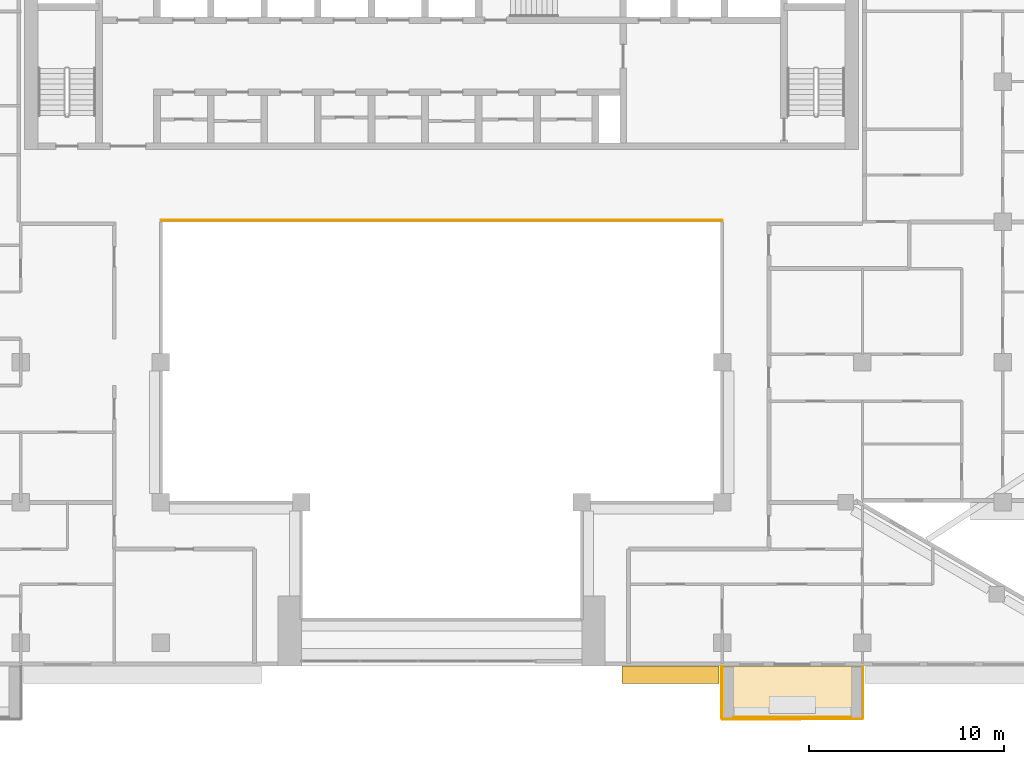
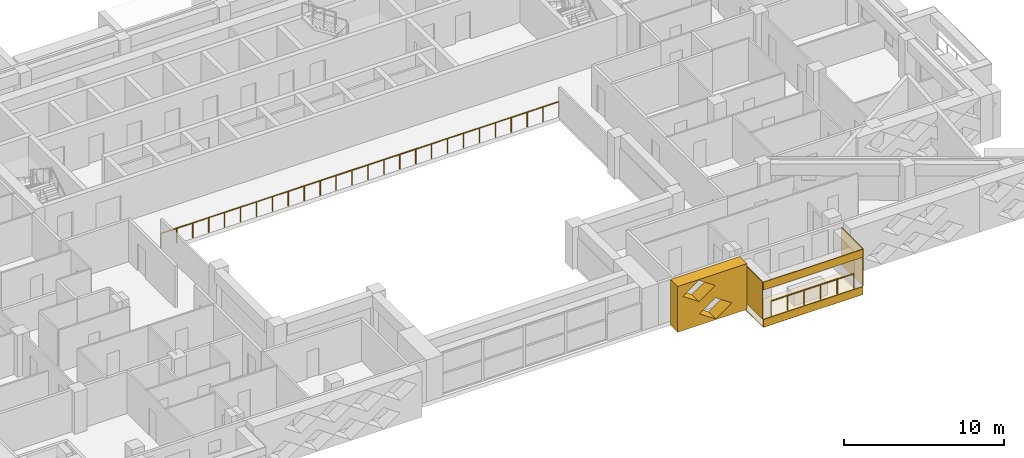
# One storey, part 16 of 20: 6 coverings, 2 railings.
"""IFC4 building model written with IfcOpenShell, lengths in metres."""

from ifc_helpers import new_model, si_unit, direction, frame, origin, origin_2d, place, context, subcontext, project, spatial, polyline, circle, outline, extrude, material, layer, layer_set, type_object, element, save


model = new_model("IFC4")

# Units and contexts
model_context = context("Model", 3, precision=1e-05, world=origin(), true_north=direction((0.0, 1.0)))
body_context = subcontext(model_context, "Body", "Model", "MODEL_VIEW")
ifc_project = project(units=[si_unit("LENGTHUNIT", "METRE"), si_unit("AREAUNIT", "SQUARE_METRE"), si_unit("VOLUMEUNIT", "CUBIC_METRE"), si_unit("PLANEANGLEUNIT", "RADIAN"), si_unit("MASSUNIT", "GRAM", prefix="KILO")], contexts=[model_context])

# Site, building, storey
site_placement = place(None, origin())
site = spatial("IfcSite", under=ifc_project, at=site_placement, CompositionType="ELEMENT")
building_placement = place(site_placement, origin())
building = spatial("IfcBuilding", under=site, at=building_placement, Name="Saffron Iwan Residences", CompositionType="ELEMENT")
storey_placement = place(building_placement, frame((0.0, 0.0, 188.5)))
storey = spatial("IfcBuildingStorey", under=building, at=storey_placement, Name="L50", CompositionType="ELEMENT", Elevation=188.5)

# Railings
ifc_material_1 = material(Name="Stainless steel 316", Category="steel")
railing_type_1 = type_object("IfcRailingType", Name="Atrium guard 1150", PredefinedType="GUARDRAIL", material=ifc_material_1)
railing_1_placement = place(storey_placement, frame((36.0, 62.47509765625, 0.0)))
element("IfcRailing", 1, at=railing_1_placement, inside=storey, type_object=railing_type_1, Name="Atrium guard L50", PredefinedType="GUARDRAIL", context=body_context, shape_type="SweptSolid", body=[
    extrude(circle(Radius=0.02392578125, at=origin_2d()), frame((0.0, 0.0, 1.1259765625), z_axis=(1.0, 0.0, 0.0), x_axis=(0.0, 1.0, 0.0)), (0.0, 0.0, 1.0), 28.800048828125),
    extrude(circle(Radius=0.02099609375, at=origin_2d()), origin(), (0.0, 0.0, 1.0), 1.101806640625),
    extrude(circle(Radius=0.02099609375, at=origin_2d()), frame((1.152099609375, 0.0, 0.0)), (0.0, 0.0, 1.0), 1.101806640625),
    extrude(circle(Radius=0.02099609375, at=origin_2d()), frame((2.303955078125, 0.0, 0.0)), (0.0, 0.0, 1.0), 1.101806640625),
    extrude(circle(Radius=0.02099609375, at=origin_2d()), frame((3.4560546875, 0.0, 0.0)), (0.0, 0.0, 1.0), 1.101806640625),
    extrude(circle(Radius=0.02099609375, at=origin_2d()), frame((4.60791015625, 0.0, 0.0)), (0.0, 0.0, 1.0), 1.101806640625),
    extrude(circle(Radius=0.02099609375, at=origin_2d()), frame((5.760009765625, 0.0, 0.0)), (0.0, 0.0, 1.0), 1.101806640625),
    extrude(circle(Radius=0.02099609375, at=origin_2d()), frame((6.912109375, 0.0, 0.0)), (0.0, 0.0, 1.0), 1.101806640625),
    extrude(circle(Radius=0.02099609375, at=origin_2d()), frame((8.06396484375, 0.0, 0.0)), (0.0, 0.0, 1.0), 1.101806640625),
    extrude(circle(Radius=0.02099609375, at=origin_2d()), frame((9.216064453125, 0.0, 0.0)), (0.0, 0.0, 1.0), 1.101806640625),
    extrude(circle(Radius=0.02099609375, at=origin_2d()), frame((10.367919921875, 0.0, 0.0)), (0.0, 0.0, 1.0), 1.101806640625),
    extrude(circle(Radius=0.02099609375, at=origin_2d()), frame((11.52001953125, 0.0, 0.0)), (0.0, 0.0, 1.0), 1.101806640625),
    extrude(circle(Radius=0.02099609375, at=origin_2d()), frame((12.672119140625, 0.0, 0.0)), (0.0, 0.0, 1.0), 1.101806640625),
    extrude(circle(Radius=0.02099609375, at=origin_2d()), frame((13.823974609375, 0.0, 0.0)), (0.0, 0.0, 1.0), 1.101806640625),
    extrude(circle(Radius=0.02099609375, at=origin_2d()), frame((14.97607421875, 0.0, 0.0)), (0.0, 0.0, 1.0), 1.101806640625),
    extrude(circle(Radius=0.02099609375, at=origin_2d()), frame((16.1279296875, 0.0, 0.0)), (0.0, 0.0, 1.0), 1.101806640625),
    extrude(circle(Radius=0.02099609375, at=origin_2d()), frame((17.280029296875, 0.0, 0.0)), (0.0, 0.0, 1.0), 1.101806640625),
    extrude(circle(Radius=0.02099609375, at=origin_2d()), frame((18.43212890625, 0.0, 0.0)), (0.0, 0.0, 1.0), 1.101806640625),
    extrude(circle(Radius=0.02099609375, at=origin_2d()), frame((19.583984375, 0.0, 0.0)), (0.0, 0.0, 1.0), 1.101806640625),
    extrude(circle(Radius=0.02099609375, at=origin_2d()), frame((20.736083984375, 0.0, 0.0)), (0.0, 0.0, 1.0), 1.101806640625),
    extrude(circle(Radius=0.02099609375, at=origin_2d()), frame((21.887939453125, 0.0, 0.0)), (0.0, 0.0, 1.0), 1.101806640625),
    extrude(circle(Radius=0.02099609375, at=origin_2d()), frame((23.0400390625, 0.0, 0.0)), (0.0, 0.0, 1.0), 1.101806640625),
    extrude(circle(Radius=0.02099609375, at=origin_2d()), frame((24.192138671875, 0.0, 0.0)), (0.0, 0.0, 1.0), 1.101806640625),
    extrude(circle(Radius=0.02099609375, at=origin_2d()), frame((25.343994140625, 0.0, 0.0)), (0.0, 0.0, 1.0), 1.101806640625),
    extrude(circle(Radius=0.02099609375, at=origin_2d()), frame((26.49609375, 0.0, 0.0)), (0.0, 0.0, 1.0), 1.101806640625),
    extrude(circle(Radius=0.02099609375, at=origin_2d()), frame((27.64794921875, 0.0, 0.0)), (0.0, 0.0, 1.0), 1.101806640625),
    extrude(circle(Radius=0.02099609375, at=origin_2d()), frame((28.800048828125, 0.0, 0.0)), (0.0, 0.0, 1.0), 1.101806640625),
])
railing_type_2 = type_object("IfcRailingType", Name="BALCONY GUARD 1150", PredefinedType="GUARDRAIL", material=ifc_material_1)
railing_2_placement = place(storey_placement, frame((65.39990234375, 36.97509765625, 0.0)))
element("IfcRailing", 2, at=railing_2_placement, inside=storey, type_object=railing_type_2, Name="Balcony guard L50 11-1", PredefinedType="GUARDRAIL", context=body_context, shape_type="SweptSolid", body=[
    extrude(circle(Radius=0.02392578125, at=origin_2d()), frame((0.0, 0.0, 1.1259765625), z_axis=(1.0, 0.0, 0.0), x_axis=(0.0, 1.0, 0.0)), (0.0, 0.0, 1.0), 6.0),
    extrude(circle(Radius=0.02099609375, at=origin_2d()), origin(), (0.0, 0.0, 1.0), 1.101806640625),
    extrude(circle(Radius=0.02099609375, at=origin_2d()), frame((1.199951171875, 0.0, 0.0)), (0.0, 0.0, 1.0), 1.101806640625),
    extrude(circle(Radius=0.02099609375, at=origin_2d()), frame((2.39990234375, 0.0, 0.0)), (0.0, 0.0, 1.0), 1.101806640625),
    extrude(circle(Radius=0.02099609375, at=origin_2d()), frame((3.60009765625, 0.0, 0.0)), (0.0, 0.0, 1.0), 1.101806640625),
    extrude(circle(Radius=0.02099609375, at=origin_2d()), frame((4.800048828125, 0.0, 0.0)), (0.0, 0.0, 1.0), 1.101806640625),
    extrude(circle(Radius=0.02099609375, at=origin_2d()), frame((6.0, 0.0, 0.0)), (0.0, 0.0, 1.0), 1.101806640625),
])

# Coverings
ifc_material_2 = material(Name="Precast concrete C40/50 white painted", Category="concrete")
ifc_layer = layer(ifc_material_2, 0.050048828125)
ifc_layer_set = layer_set([ifc_layer], Name="Precast concrete C40/50 white painted")
covering_type_1 = type_object("IfcCoveringType", Name="FRAME SKIN PRECAST WHITE 50", PredefinedType="CLADDING", material=ifc_layer_set)
for number, where, name in (
    (3, (0.0, 0.0, -0.60009765625), "Frame skin slab edge L50 11-1"),
    (4, (0.0, 0.0, 2.25), "Frame skin fascia L50 11-1"),
):
    element("IfcCovering", number, at=place(storey_placement, frame(where)), inside=storey, type_object=covering_type_1, Name=name, PredefinedType="CLADDING", context=body_context, shape_type="SweptSolid", body=[
        extrude(outline(polyline([(64.800048828125, 36.85009765625), (72.0, 36.85009765625), (72.0, 36.89990234375), (64.800048828125, 36.89990234375), (64.800048828125, 36.85009765625)])), origin(), (0.0, 0.0, 1.0), 0.60009765625),
    ])
covering_1_placement = place(storey_placement, frame((0.0, 0.0, -0.64990234375)))
element("IfcCovering", 5, at=covering_1_placement, inside=storey, type_object=covering_type_1, Name="Frame skin soffit L50 11-1", PredefinedType="CLADDING", context=body_context, shape_type="SweptSolid", body=[
    extrude(outline(polyline([(64.800048828125, 36.89990234375), (72.0, 36.89990234375), (72.0, 39.60009765625), (64.800048828125, 39.60009765625), (64.800048828125, 36.89990234375)])), origin(), (0.0, 0.0, 1.0), 0.0498046875),
])
covering_2_placement = place(storey_placement, origin())
element("IfcCovering", 6, at=covering_2_placement, inside=storey, type_object=covering_type_1, Name="Frame skin fin L50 11-1a", PredefinedType="CLADDING", context=body_context, shape_type="SweptSolid", body=[
    extrude(outline(polyline([(64.75, 36.89990234375), (64.800048828125, 36.89990234375), (64.800048828125, 39.60009765625), (64.75, 39.60009765625), (64.75, 36.89990234375)])), origin(), (0.0, 0.0, 1.0), 2.85009765625),
])
covering_3_placement = place(storey_placement, origin())
element("IfcCovering", 7, at=covering_3_placement, inside=storey, type_object=covering_type_1, Name="Frame skin fin L50 11-1b", PredefinedType="CLADDING", context=body_context, shape_type="SweptSolid", body=[
    extrude(outline(polyline([(72.0, 36.89990234375), (72.050048828125, 36.89990234375), (72.050048828125, 39.60009765625), (72.0, 39.60009765625), (72.0, 36.89990234375)])), origin(), (0.0, 0.0, 1.0), 2.85009765625),
])
ifc_material_3 = material(Name="Precast concrete C40/50", Category="concrete")
covering_type_2 = type_object("IfcCoveringType", Name="OUTER SKIN LATTICE SCREEN", PredefinedType="CLADDING", material=ifc_material_3)
covering_4_placement = place(storey_placement, frame((59.64990234375, 39.60009765625, -0.300048828125), z_axis=(0.0, -1.0, 0.0), x_axis=(1.0, 0.0, 0.0)))
element("IfcCovering", 8, at=covering_4_placement, inside=storey, type_object=covering_type_2, Name="OUTER SKIN lattice screen L50 F11.2", PredefinedType="CLADDING", context=body_context, shape_type="SweptSolid", body=[
    extrude(outline(polyline([(0.0, 0.0), (5.0, 0.0), (5.0, 3.5), (0.0, 3.5), (0.0, 0.0)]), holes=[polyline([(1.570068359375, 0.875), (2.75, 0.06005859375), (3.929931640625, 0.875), (2.75, 1.68994140625), (1.570068359375, 0.875)]), polyline([(0.3701171875, 2.625), (1.550048828125, 1.81005859375), (2.72998046875, 2.625), (1.550048828125, 3.43994140625), (0.3701171875, 2.625)])]), origin(), (0.0, 0.0, 1.0), 0.900146484375),
])

save(model, "model.ifc")
